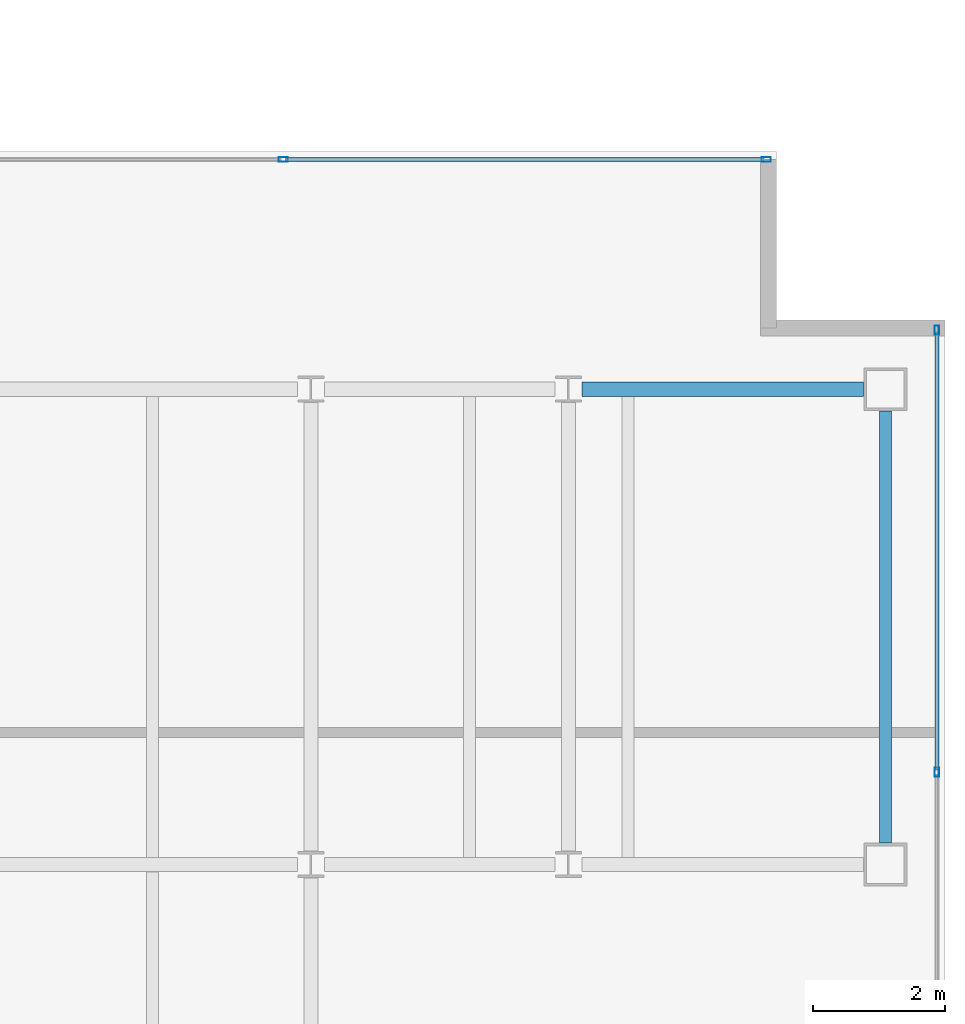
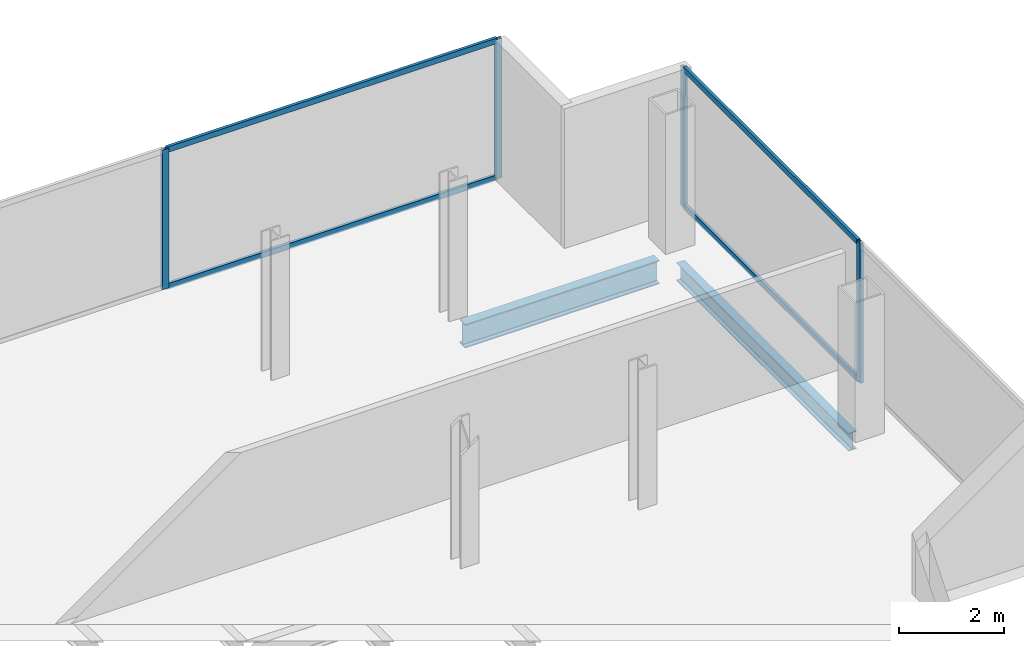
# One storey, part 16 of 23: 8 members, 2 beams, 2 elements without a shape of their own.
"""IFC4 building model written with IfcOpenShell, lengths in metres."""

from ifc_helpers import new_model, si_unit, direction, frame, origin, origin_2d, place, context, subcontext, project, spatial, hollow_rectangle, i_section, extrude, material, material_profile, profile_set, type_object, element, aggregate, save


model = new_model("IFC4")

# Units and contexts
model_context = context("Model", 3, precision=1e-05, world=origin(), true_north=direction((0.0, 1.0)))
body_context = subcontext(model_context, "Body", "Model", "MODEL_VIEW")
ifc_project = project(units=[si_unit("LENGTHUNIT", "METRE"), si_unit("AREAUNIT", "SQUARE_METRE"), si_unit("VOLUMEUNIT", "CUBIC_METRE"), si_unit("PLANEANGLEUNIT", "RADIAN"), si_unit("MASSUNIT", "GRAM", prefix="KILO")], contexts=[model_context])

# Site, building, storey
site_placement = place(None, origin())
site = spatial("IfcSite", under=ifc_project, at=site_placement, CompositionType="ELEMENT")
building_placement = place(site_placement, origin())
building = spatial("IfcBuilding", under=site, at=building_placement, Name="Cobrela Telecom Tower", CompositionType="ELEMENT")
storey_placement = place(building_placement, frame((0.0, 0.0, 255.14990234375)))
storey = spatial("IfcBuildingStorey", under=building, at=storey_placement, Name="L66", CompositionType="ELEMENT", Elevation=255.14990234375)

# Beams
ifc_material_1 = material(Name="Steel ASTM A992 Grade 50", Category="steel")
ifc_material_profile_1 = material_profile(ifc_material_1, i_section(OverallWidth=0.212890625, OverallDepth=0.549072265625, WebThickness=0.0146484375, FlangeThickness=0.023681640625, FilletRadius=0.013916015625, at=origin_2d()), Name="W21X93")
ifc_profile_set_1 = profile_set([ifc_material_profile_1], Name="Steel ASTM A992 Grade 50")
beam_type_1 = type_object("IfcBeamType", Name="BM-GIRD-08", PredefinedType="USERDEFINED", material=ifc_profile_set_1)
beam_1_placement = place(storey_placement, frame((40.1044921875, 21.60009765625, -0.534423828125), z_axis=(1.0, 0.0, 0.0), x_axis=(0.0, 1.0, 0.0)))
element("IfcBeam", 1, at=beam_1_placement, inside=storey, type_object=beam_type_1, Name="L66 Primary Girder X14", ObjectType="GIRDER", PredefinedType="USERDEFINED", context=body_context, shape_type="SweptSolid", body=[
    extrude(i_section(OverallWidth=0.212890625, OverallDepth=0.549072265625, WebThickness=0.0146484375, FlangeThickness=0.023681640625, FilletRadius=0.013916015625, at=origin_2d()), origin(), (0.0, 0.0, 1.0), 4.265625),
])
ifc_material_profile_2 = material_profile(ifc_material_1, i_section(OverallWidth=0.179931640625, OverallDepth=0.4169921875, WebThickness=0.010986328125, FlangeThickness=0.01806640625, FilletRadius=0.011962890625, at=origin_2d()), Name="W16X57")
ifc_profile_set_2 = profile_set([ifc_material_profile_2], Name="Steel ASTM A992 Grade 50")
beam_type_2 = type_object("IfcBeamType", Name="BM-SPAND-06", PredefinedType="SPANDREL", material=ifc_profile_set_2)
beam_2_placement = place(storey_placement, frame((44.699951171875, 14.72998046875, -0.468505859375), z_axis=(0.0, 1.0, 0.0), x_axis=(-1.0, 0.0, 0.0)))
element("IfcBeam", 2, at=beam_2_placement, inside=storey, type_object=beam_type_2, Name="L66 Perimeter Spandrel Y34", PredefinedType="SPANDREL", context=body_context, shape_type="SweptSolid", body=[
    extrude(i_section(OverallWidth=0.179931640625, OverallDepth=0.4169921875, WebThickness=0.010986328125, FlangeThickness=0.01806640625, FilletRadius=0.011962890625, at=origin_2d()), origin(), (0.0, 0.0, 1.0), 6.5400390625),
])

# Curtain wall, members
ifc_material_2 = material(Name="Anodized Bronze Aluminium 6063-T6", Category="aluminium")
curtain_wall_type = type_object("IfcCurtainWallType", Name="CW-SYS-OFF-HI", PredefinedType="USERDEFINED", material=ifc_material_2)
curtain_wall_1_placement = place(storey_placement, origin())
curtain_wall_1 = element("IfcCurtainWall", 3, at=curtain_wall_1_placement, inside=storey, type_object=curtain_wall_type, Name="L66 Unitised Bronze Curtain Wall 09", ObjectType="UNITISED CURTAIN WALL", PredefinedType="USERDEFINED")
ifc_material_profile_3 = material_profile(ifc_material_2, hollow_rectangle(XDim=0.070068359375, YDim=0.139892578125, WallThickness=0.00390625, at=origin_2d()), Name="ALU 70x140x4")
ifc_profile_set_3 = profile_set([ifc_material_profile_3], Name="Anodized Bronze Aluminium 6063-T6")
member_type_1 = type_object("IfcMemberType", Name="CW-SYS-OFF-HI-MUL", PredefinedType="MULLION", material=ifc_profile_set_3)
member_1_placement = place(storey_placement, frame((35.580078125, 25.080078125, 0.0), z_axis=(0.0, 0.0, 1.0), x_axis=(0.0, 1.0, 0.0)))
member_1 = element("IfcMember", 4, at=member_1_placement, type_object=member_type_1, Name="CW-OFF-HI mullion 3", PredefinedType="MULLION", context=body_context, shape_type="SweptSolid", body=[
    extrude(hollow_rectangle(XDim=0.070068359375, YDim=0.139892578125, WallThickness=0.00390625, at=origin_2d()), origin(), (0.0, 0.0, 1.0), 3.239990234375),
])
member_2_placement = place(storey_placement, frame((42.89501953125, 25.080078125, 0.0), z_axis=(0.0, 0.0, 1.0), x_axis=(0.0, 1.0, 0.0)))
member_2 = element("IfcMember", 5, at=member_2_placement, type_object=member_type_1, Name="CW-OFF-HI mullion 4", PredefinedType="MULLION", context=body_context, shape_type="SweptSolid", body=[
    extrude(hollow_rectangle(XDim=0.070068359375, YDim=0.139892578125, WallThickness=0.00390625, at=origin_2d()), origin(), (0.0, 0.0, 1.0), 3.239990234375),
])

curtain_wall_2_placement = place(storey_placement, origin())
curtain_wall_2 = element("IfcCurtainWall", 6, at=curtain_wall_2_placement, inside=storey, type_object=curtain_wall_type, Name="L66 Unitised Bronze Curtain Wall 12", ObjectType="UNITISED CURTAIN WALL", PredefinedType="USERDEFINED")
member_3_placement = place(storey_placement, frame((45.47998046875, 22.4951171875, 0.0), z_axis=(0.0, 0.0, 1.0), x_axis=(1.0, 0.0, 0.0)))
member_3 = element("IfcMember", 7, at=member_3_placement, type_object=member_type_1, Name="CW-OFF-HI mullion 1", PredefinedType="MULLION", context=body_context, shape_type="SweptSolid", body=[
    extrude(hollow_rectangle(XDim=0.070068359375, YDim=0.139892578125, WallThickness=0.00390625, at=origin_2d()), origin(), (0.0, 0.0, 1.0), 3.239990234375),
])
member_4_placement = place(storey_placement, frame((45.47998046875, 15.800048828125, 0.0), z_axis=(0.0, 0.0, 1.0), x_axis=(1.0, 0.0, 0.0)))
member_4 = element("IfcMember", 8, at=member_4_placement, type_object=member_type_1, Name="CW-OFF-HI mullion 2", PredefinedType="MULLION", context=body_context, shape_type="SweptSolid", body=[
    extrude(hollow_rectangle(XDim=0.070068359375, YDim=0.139892578125, WallThickness=0.00390625, at=origin_2d()), origin(), (0.0, 0.0, 1.0), 3.239990234375),
])

# Member
ifc_material_profile_4 = material_profile(ifc_material_2, hollow_rectangle(XDim=0.06494140625, YDim=0.1298828125, WallThickness=0.00390625, at=origin_2d()), Name="ALU 65x130x4")
ifc_profile_set_4 = profile_set([ifc_material_profile_4], Name="Anodized Bronze Aluminium 6063-T6")
member_type_2 = type_object("IfcMemberType", Name="CW-SYS-OFF-HI-TRN", PredefinedType="USERDEFINED", material=ifc_profile_set_4)
member_5_placement = place(storey_placement, frame((35.614990234375, 25.080078125, 0.03271484375), z_axis=(1.0, 0.0, 0.0), x_axis=(0.0, 1.0, 0.0)))
member_5 = element("IfcMember", 9, at=member_5_placement, type_object=member_type_2, Name="CW-OFF-HI transom 3.1", ObjectType="TRANSOM", PredefinedType="USERDEFINED", context=body_context, shape_type="SweptSolid", body=[
    extrude(hollow_rectangle(XDim=0.06494140625, YDim=0.1298828125, WallThickness=0.00390625, at=origin_2d()), origin(), (0.0, 0.0, 1.0), 7.2451171875),
])

member_6_placement = place(storey_placement, frame((35.614990234375, 25.080078125, 3.20751953125), z_axis=(1.0, 0.0, 0.0), x_axis=(0.0, 1.0, 0.0)))
member_6 = element("IfcMember", 10, at=member_6_placement, type_object=member_type_2, Name="CW-OFF-HI transom 3.2", ObjectType="TRANSOM", PredefinedType="USERDEFINED", context=body_context, shape_type="SweptSolid", body=[
    extrude(hollow_rectangle(XDim=0.06494140625, YDim=0.1298828125, WallThickness=0.00390625, at=origin_2d()), origin(), (0.0, 0.0, 1.0), 7.2451171875),
])

aggregate(curtain_wall_1, [member_1, member_2, member_5, member_6])

member_7_placement = place(storey_placement, frame((45.47998046875, 22.4599609375, 0.03271484375), z_axis=(0.0, -1.0, 0.0), x_axis=(1.0, 0.0, 0.0)))
member_7 = element("IfcMember", 11, at=member_7_placement, type_object=member_type_2, Name="CW-OFF-HI transom 1.1", ObjectType="TRANSOM", PredefinedType="USERDEFINED", context=body_context, shape_type="SweptSolid", body=[
    extrude(hollow_rectangle(XDim=0.06494140625, YDim=0.1298828125, WallThickness=0.00390625, at=origin_2d()), origin(), (0.0, 0.0, 1.0), 6.625),
])

member_8_placement = place(storey_placement, frame((45.47998046875, 22.4599609375, 3.20751953125), z_axis=(0.0, -1.0, 0.0), x_axis=(1.0, 0.0, 0.0)))
member_8 = element("IfcMember", 12, at=member_8_placement, type_object=member_type_2, Name="CW-OFF-HI transom 1.2", ObjectType="TRANSOM", PredefinedType="USERDEFINED", context=body_context, shape_type="SweptSolid", body=[
    extrude(hollow_rectangle(XDim=0.06494140625, YDim=0.1298828125, WallThickness=0.00390625, at=origin_2d()), origin(), (0.0, 0.0, 1.0), 6.625),
])

aggregate(curtain_wall_2, [member_3, member_4, member_7, member_8])

save(model, "model.ifc")
